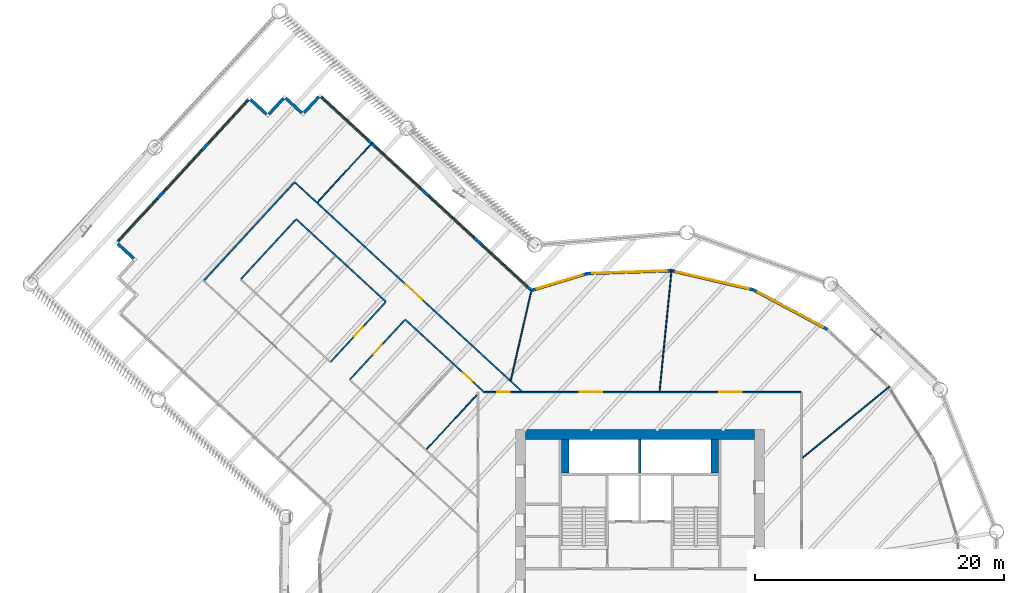
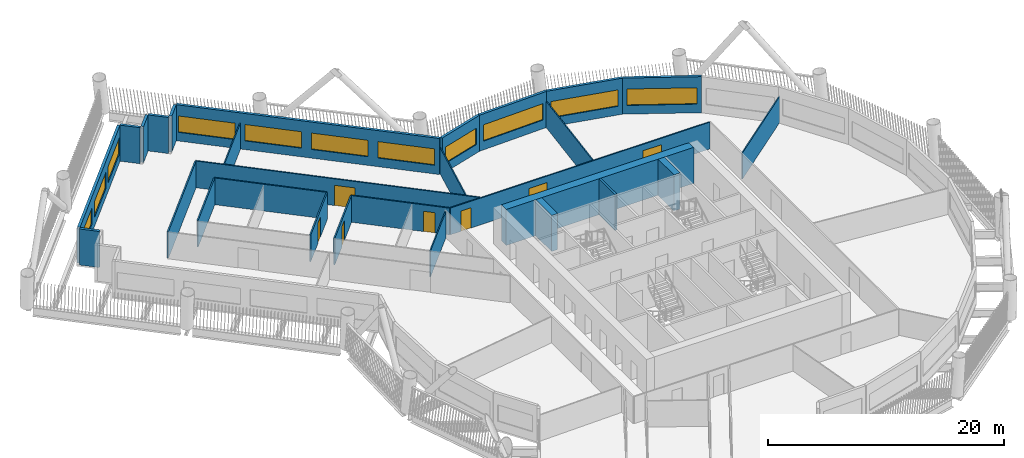
# One storey, part 7 of 24: 28 walls, 11 windows, 7 doors, 18 openings.
"""IFC4 building model written with IfcOpenShell, lengths in metres."""

from ifc_helpers import new_model, si_unit, direction, frame, frame_2d, origin, place, context, subcontext, project, spatial, rectangle, extrude, material, layer, layer_set, type_object, element, fill, save


model = new_model("IFC4")

# Units and contexts
model_context = context("Model", 3, precision=1e-05, world=origin(), true_north=direction((0.0, 1.0)))
body_context = subcontext(model_context, "Body", "Model", "MODEL_VIEW")
ifc_project = project(units=[si_unit("LENGTHUNIT", "METRE"), si_unit("AREAUNIT", "SQUARE_METRE"), si_unit("VOLUMEUNIT", "CUBIC_METRE"), si_unit("PLANEANGLEUNIT", "RADIAN"), si_unit("MASSUNIT", "GRAM", prefix="KILO")], contexts=[model_context])

# Site, building, storey
site_placement = place(None, origin())
site = spatial("IfcSite", under=ifc_project, at=site_placement, CompositionType="ELEMENT")
building_placement = place(site_placement, origin())
building = spatial("IfcBuilding", under=site, at=building_placement, Name="Tarsis Ring Headquarters", CompositionType="ELEMENT")
storey_placement = place(building_placement, frame((0.0, 0.0, 92.800048828125)))
storey = spatial("IfcBuildingStorey", under=building, at=storey_placement, Name="L20", CompositionType="ELEMENT", Elevation=92.800048828125)

# Walls
ifc_material_1 = material(Name="Concrete C60/75", Category="concrete")
ifc_layer_1 = layer(ifc_material_1, 0.800048828125)
ifc_layer_set_1 = layer_set([ifc_layer_1], Name="Core wall 800 C60/75")
wall_type_1 = type_object("IfcWallType", Name="Core wall 800 C60/75", PredefinedType="SHEAR", material=ifc_layer_set_1)
wall_1_placement = place(storey_placement, frame((-9.199951171875, 12.60009765625, 0.0), z_axis=(0.0, 0.0, 1.0), x_axis=(1.0, 0.0, 0.0)))
element("IfcWall", 1, at=wall_1_placement, inside=storey, type_object=wall_type_1, Name="Core wall ON", PredefinedType="SHEAR", context=body_context, shape_type="SweptSolid", body=[
    extrude(rectangle(XDim=18.39990234375, YDim=0.800048828125, at=frame_2d((9.199951171875, 0.0))), origin(), (0.0, 0.0, 1.0), 3.739990234375),
])
ifc_material_2 = material(Name="Gypsum board on steel studs", Category="steel")
ifc_layer_2 = layer(ifc_material_2, 0.10009765625)
ifc_layer_set_2 = layer_set([ifc_layer_2], Name="FL partition 100 unrated")
wall_type_2 = type_object("IfcWallType", Name="FL partition 100 unrated", PredefinedType="PARTITIONING", material=ifc_layer_set_2)
wall_2_placement = place(storey_placement, frame((1.5869140625, 16.069580078125, 0.0), z_axis=(0.0, 0.0, 1.0), x_axis=(0.098277776577, 0.99515902178, 0.0)))
element("IfcWall", 2, at=wall_2_placement, inside=storey, type_object=wall_type_2, Name="Partition PW3", PredefinedType="PARTITIONING", context=body_context, shape_type="SweptSolid", body=[
    extrude(rectangle(XDim=9.800048828125, YDim=0.10009765625, at=frame_2d((4.89990234375, 0.0))), origin(), (0.0, 0.0, 1.0), 2.699951171875),
])
wall_3_placement = place(storey_placement, frame((13.0849609375, 10.73291015625, 0.0), z_axis=(0.0, 0.0, 1.0), x_axis=(0.773185275083, 0.634180203409, 0.0)))
element("IfcWall", 3, at=wall_3_placement, inside=storey, type_object=wall_type_2, Name="Partition PW3", PredefinedType="PARTITIONING", context=body_context, shape_type="SweptSolid", body=[
    extrude(rectangle(XDim=9.024169921875, YDim=0.10009765625, at=frame_2d((4.51220703125, 0.0))), origin(), (0.0, 0.0, 1.0), 2.699951171875),
])
wall_4_placement = place(storey_placement, frame((-10.355224609375, 16.970458984375, 0.0), z_axis=(0.0, 0.0, 1.0), x_axis=(0.223079779579, 0.974800190779, 0.0)))
element("IfcWall", 4, at=wall_4_placement, inside=storey, type_object=wall_type_2, Name="Partition PW3", PredefinedType="PARTITIONING", context=body_context, shape_type="SweptSolid", body=[
    extrude(rectangle(XDim=7.435302734375, YDim=0.10009765625, at=frame_2d((3.7177734375, 0.0))), origin(), (0.0, 0.0, 1.0), 2.699951171875),
])
wall_5_placement = place(storey_placement, frame((-25.880859375, 31.25439453125, 0.0), z_axis=(0.0, 0.0, 1.0), x_axis=(0.677390591331, 0.73562353604, 0.0)))
element("IfcWall", 5, at=wall_5_placement, inside=storey, type_object=wall_type_2, Name="Partition PW3", PredefinedType="PARTITIONING", context=body_context, shape_type="SweptSolid", body=[
    extrude(rectangle(XDim=6.489990234375, YDim=0.10009765625, at=frame_2d((3.2451171875, 0.0))), origin(), (0.0, 0.0, 1.0), 2.699951171875),
])
wall_6_placement = place(storey_placement, frame((-17.129150390625, 11.395751953125, 0.0), z_axis=(0.0, 0.0, 1.0), x_axis=(0.677387825321, 0.73562608308, 0.0)))
element("IfcWall", 6, at=wall_6_placement, inside=storey, type_object=wall_type_2, Name="Partition PW3", PredefinedType="PARTITIONING", context=body_context, shape_type="SweptSolid", body=[
    extrude(rectangle(XDim=5.969482421875, YDim=0.10009765625, at=frame_2d((2.98486328125, 0.0))), origin(), (0.0, 0.0, 1.0), 2.699951171875),
])

# Wall, openings, doors
ifc_layer_3 = layer(ifc_material_2, 0.125)
ifc_layer_set_3 = layer_set([ifc_layer_3], Name="FL partition 125 EI 60 H2770")
wall_type_3 = type_object("IfcWallType", Name="FL partition 125 EI 60 H2770", PredefinedType="PARTITIONING", material=ifc_layer_set_3)
wall_7_placement = place(storey_placement, frame((-12.5185546875, 16.0, 0.0), z_axis=(0.0, 0.0, 1.0), x_axis=(1.0, 0.0, 0.0)))
wall_7 = element("IfcWall", 7, at=wall_7_placement, inside=storey, type_object=wall_type_3, Name="Partition PW1", PredefinedType="PARTITIONING", context=body_context, shape_type="SweptSolid", body=[
    extrude(rectangle(XDim=25.45849609375, YDim=0.125, at=frame_2d((12.729248046875, 0.0))), origin(), (0.0, 0.0, 1.0), 2.77001953125),
])
opening_1_placement = place(wall_7_placement, frame((7.699462890625, 0.0, 0.0)))
opening_1 = element("IfcOpeningElement", 8, at=opening_1_placement, cuts=wall_7, Name="Opening D20.03", PredefinedType="OPENING", context=body_context, shape_type="SweptSolid", body=[
    extrude(rectangle(XDim=1.800048828125, YDim=2.10009765625, at=frame_2d((0.89990234375, 1.050048828125))), frame((0.0, 0.072509765625, 0.0), z_axis=(0.0, -1.0, 0.0), x_axis=(1.0, 0.0, 0.0)), (0.0, 0.0, 1.0), 0.14501953125),
])
opening_2_placement = place(wall_7_placement, frame((18.90869140625, 0.0, 0.0)))
opening_2 = element("IfcOpeningElement", 9, at=opening_2_placement, cuts=wall_7, Name="Opening D20.04", PredefinedType="OPENING", context=body_context, shape_type="SweptSolid", body=[
    extrude(rectangle(XDim=1.800048828125, YDim=2.10009765625, at=frame_2d((0.89990234375, 1.050048828125))), frame((0.0, 0.072509765625, 0.0), z_axis=(0.0, -1.0, 0.0), x_axis=(1.0, 0.0, 0.0)), (0.0, 0.0, 1.0), 0.14501953125),
])
opening_3_placement = place(wall_7_placement, frame((1.050048828125, 0.0, 0.0)))
opening_3 = element("IfcOpeningElement", 10, at=opening_3_placement, cuts=wall_7, Name="Opening D20.22", PredefinedType="OPENING", context=body_context, shape_type="SweptSolid", body=[
    extrude(rectangle(XDim=1.0, YDim=2.10009765625, at=frame_2d((0.5, 1.050048828125))), frame((0.0, 0.072509765625, 0.0), z_axis=(0.0, -1.0, 0.0), x_axis=(1.0, 0.0, 0.0)), (0.0, 0.0, 1.0), 0.14501953125),
])
ifc_material_3 = material(Name="Fire-rated timber door leaf in steel frame", Category="steel")
door_type_1 = type_object("IfcDoorType", Name="FL door FD60-1000", OperationType="NOTDEFINED", PredefinedType="DOOR", material=ifc_material_3)
door_1_placement = place(opening_3_placement, origin())
door_1 = element("IfcDoor", 11, at=door_1_placement, inside=storey, type_object=door_type_1, Name="Door D20.22", OperationType="SINGLE_SWING_RIGHT", OverallHeight=2.10009765625, OverallWidth=1.0, PredefinedType="DOOR", context=body_context, shape_type="SweptSolid", body=[
    extrude(rectangle(XDim=1.0, YDim=2.10009765625, at=frame_2d((0.5, 1.050048828125))), frame((0.0, 0.02490234375, 0.0), z_axis=(0.0, -1.0, 0.0), x_axis=(1.0, 0.0, 0.0)), (0.0, 0.0, 1.0), 0.050048828125),
])
fill(opening_3, door_1)
door_type_2 = type_object("IfcDoorType", Name="FL door FD60-1800", OperationType="DOUBLE_DOOR_SINGLE_SWING", PredefinedType="DOOR", material=ifc_material_3)
door_2_placement = place(opening_1_placement, origin())
door_2 = element("IfcDoor", 12, at=door_2_placement, inside=storey, type_object=door_type_2, Name="Door D20.03", OperationType="DOUBLE_DOOR_SINGLE_SWING", OverallHeight=2.10009765625, OverallWidth=1.800048828125, PredefinedType="DOOR", context=body_context, shape_type="SweptSolid", body=[
    extrude(rectangle(XDim=1.800048828125, YDim=2.10009765625, at=frame_2d((0.89990234375, 1.050048828125))), frame((0.0, 0.02490234375, 0.0), z_axis=(0.0, -1.0, 0.0), x_axis=(1.0, 0.0, 0.0)), (0.0, 0.0, 1.0), 0.050048828125),
])
fill(opening_1, door_2)
door_3_placement = place(opening_2_placement, origin())
door_3 = element("IfcDoor", 13, at=door_3_placement, inside=storey, type_object=door_type_2, Name="Door D20.04", OperationType="DOUBLE_DOOR_SINGLE_SWING", OverallHeight=2.10009765625, OverallWidth=1.800048828125, PredefinedType="DOOR", context=body_context, shape_type="SweptSolid", body=[
    extrude(rectangle(XDim=1.800048828125, YDim=2.10009765625, at=frame_2d((0.89990234375, 1.050048828125))), frame((0.0, 0.02490234375, 0.0), z_axis=(0.0, -1.0, 0.0), x_axis=(1.0, 0.0, 0.0)), (0.0, 0.0, 1.0), 0.050048828125),
])
fill(opening_2, door_3)

# Wall, opening, door
wall_8_placement = place(storey_placement, frame((-27.72314453125, 32.855712890625, 0.0), z_axis=(0.0, 0.0, 1.0), x_axis=(0.73561962954, -0.677394833635, 0.0)))
wall_8 = element("IfcWall", 14, at=wall_8_placement, inside=storey, type_object=wall_type_3, Name="Partition PW1", PredefinedType="PARTITIONING", context=body_context, shape_type="SweptSolid", body=[
    extrude(rectangle(XDim=24.743408203125, YDim=0.125, at=frame_2d((12.37158203125, 0.0))), origin(), (0.0, 0.0, 1.0), 2.77001953125),
])
opening_4_placement = place(wall_8_placement, frame((12.1083984375, 0.0, 0.0)))
opening_4 = element("IfcOpeningElement", 15, at=opening_4_placement, cuts=wall_8, Name="Opening D20.02", PredefinedType="OPENING", context=body_context, shape_type="SweptSolid", body=[
    extrude(rectangle(XDim=1.800048828125, YDim=2.10009765625, at=frame_2d((0.89990234375, 1.050048828125))), frame((0.0, 0.072509765625, 0.0), z_axis=(0.0, -1.0, 0.0), x_axis=(1.0, 0.0, 0.0)), (0.0, 0.0, 1.0), 0.14501953125),
])
door_4_placement = place(opening_4_placement, origin())
door_4 = element("IfcDoor", 16, at=door_4_placement, inside=storey, type_object=door_type_2, Name="Door D20.02", OperationType="DOUBLE_DOOR_SINGLE_SWING", OverallHeight=2.10009765625, OverallWidth=1.800048828125, PredefinedType="DOOR", context=body_context, shape_type="SweptSolid", body=[
    extrude(rectangle(XDim=1.800048828125, YDim=2.10009765625, at=frame_2d((0.89990234375, 1.050048828125))), frame((0.0, 0.02490234375, 0.0), z_axis=(0.0, -1.0, 0.0), x_axis=(1.0, 0.0, 0.0)), (0.0, 0.0, 1.0), 0.050048828125),
])
fill(opening_4, door_4)

# Walls
wall_9_placement = place(storey_placement, frame((-34.98486328125, 24.9697265625, 0.0), z_axis=(0.0, 0.0, 1.0), x_axis=(0.67738640523, 0.735627390742, 0.0)))
element("IfcWall", 17, at=wall_9_placement, inside=storey, type_object=wall_type_3, Name="Partition PW1", PredefinedType="PARTITIONING", context=body_context, shape_type="SweptSolid", body=[
    extrude(rectangle(XDim=10.659912109375, YDim=0.125, at=frame_2d((5.330078125, 0.0))), origin(), (0.0, 0.0, 1.0), 2.77001953125),
])
wall_10_placement = place(storey_placement, frame((-27.60107421875, 29.888427734375, 0.0), z_axis=(0.0, 0.0, 1.0), x_axis=(0.735629057636, -0.677384595014, 0.0)))
element("IfcWall", 18, at=wall_10_placement, inside=storey, type_object=wall_type_3, Name="Partition PW1", PredefinedType="PARTITIONING", context=body_context, shape_type="SweptSolid", body=[
    extrude(rectangle(XDim=9.800048828125, YDim=0.125, at=frame_2d((4.89990234375, 0.0))), origin(), (0.0, 0.0, 1.0), 2.77001953125),
])

# Wall, opening, door
wall_11_placement = place(storey_placement, frame((-18.846923828125, 21.827392578125, 0.0), z_axis=(0.0, 0.0, 1.0), x_axis=(0.735613071241, -0.677401955577, 0.0)))
wall_11 = element("IfcWall", 19, at=wall_11_placement, inside=storey, type_object=wall_type_3, Name="Partition PW1", PredefinedType="PARTITIONING", context=body_context, shape_type="SweptSolid", body=[
    extrude(rectangle(XDim=8.57275390625, YDim=0.125, at=frame_2d((4.286376953125, 0.0))), origin(), (0.0, 0.0, 1.0), 2.77001953125),
])
opening_5_placement = place(wall_11_placement, frame((6.324951171875, 0.0, 0.0)))
opening_5 = element("IfcOpeningElement", 20, at=opening_5_placement, cuts=wall_11, Name="Opening D20.14", PredefinedType="OPENING", context=body_context, shape_type="SweptSolid", body=[
    extrude(rectangle(XDim=1.0, YDim=2.10009765625, at=frame_2d((0.5, 1.050048828125))), frame((0.0, 0.072509765625, 0.0), z_axis=(0.0, -1.0, 0.0), x_axis=(1.0, 0.0, 0.0)), (0.0, 0.0, 1.0), 0.14501953125),
])
door_5_placement = place(opening_5_placement, origin())
door_5 = element("IfcDoor", 21, at=door_5_placement, inside=storey, type_object=door_type_1, Name="Door D20.14", OperationType="SINGLE_SWING_RIGHT", OverallHeight=2.10009765625, OverallWidth=1.0, PredefinedType="DOOR", context=body_context, shape_type="SweptSolid", body=[
    extrude(rectangle(XDim=1.0, YDim=2.10009765625, at=frame_2d((0.5, 1.050048828125))), frame((0.0, 0.02490234375, 0.0), z_axis=(0.0, -1.0, 0.0), x_axis=(1.0, 0.0, 0.0)), (0.0, 0.0, 1.0), 0.050048828125),
])
fill(opening_5, door_5)

wall_12_placement = place(storey_placement, frame((-24.808349609375, 18.45361328125, 0.0), z_axis=(0.0, 0.0, 1.0), x_axis=(0.677367592879, 0.735644713239, 0.0)))
wall_12 = element("IfcWall", 22, at=wall_12_placement, inside=storey, type_object=wall_type_3, Name="Partition PW1", PredefinedType="PARTITIONING", context=body_context, shape_type="SweptSolid", body=[
    extrude(rectangle(XDim=6.4599609375, YDim=0.125, at=frame_2d((3.22998046875, 0.0))), origin(), (0.0, 0.0, 1.0), 2.77001953125),
])
opening_6_placement = place(wall_12_placement, frame((2.72998046875, 0.0, 0.0)))
opening_6 = element("IfcOpeningElement", 23, at=opening_6_placement, cuts=wall_12, Name="Opening D20.19", PredefinedType="OPENING", context=body_context, shape_type="SweptSolid", body=[
    extrude(rectangle(XDim=1.0, YDim=2.10009765625, at=frame_2d((0.5, 1.050048828125))), frame((0.0, 0.072509765625, 0.0), z_axis=(0.0, -1.0, 0.0), x_axis=(1.0, 0.0, 0.0)), (0.0, 0.0, 1.0), 0.14501953125),
])
door_6_placement = place(opening_6_placement, origin())
door_6 = element("IfcDoor", 24, at=door_6_placement, inside=storey, type_object=door_type_1, Name="Door D20.19", OperationType="SINGLE_SWING_LEFT", OverallHeight=2.10009765625, OverallWidth=1.0, PredefinedType="DOOR", context=body_context, shape_type="SweptSolid", body=[
    extrude(rectangle(XDim=1.0, YDim=2.10009765625, at=frame_2d((0.5, 1.050048828125))), frame((0.0, 0.02490234375, 0.0), z_axis=(0.0, -1.0, 0.0), x_axis=(1.0, 0.0, 0.0)), (0.0, 0.0, 1.0), 0.050048828125),
])
fill(opening_6, door_6)

wall_13_placement = place(storey_placement, frame((-23.263671875, 17.031005859375, 0.0), z_axis=(0.0, 0.0, 1.0), x_axis=(0.677388044761, 0.735625881012, 0.0)))
wall_13 = element("IfcWall", 25, at=wall_13_placement, inside=storey, type_object=wall_type_3, Name="Partition PW1", PredefinedType="PARTITIONING", context=body_context, shape_type="SweptSolid", body=[
    extrude(rectangle(XDim=6.4599609375, YDim=0.125, at=frame_2d((3.22998046875, 0.0))), origin(), (0.0, 0.0, 1.0), 2.77001953125),
])
opening_7_placement = place(wall_13_placement, frame((2.72998046875, 0.0, 0.0)))
opening_7 = element("IfcOpeningElement", 26, at=opening_7_placement, cuts=wall_13, Name="Opening D20.15", PredefinedType="OPENING", context=body_context, shape_type="SweptSolid", body=[
    extrude(rectangle(XDim=1.0, YDim=2.10009765625, at=frame_2d((0.5, 1.050048828125))), frame((0.0, 0.072509765625, 0.0), z_axis=(0.0, -1.0, 0.0), x_axis=(1.0, 0.0, 0.0)), (0.0, 0.0, 1.0), 0.14501953125),
])
door_7_placement = place(opening_7_placement, origin())
door_7 = element("IfcDoor", 27, at=door_7_placement, inside=storey, type_object=door_type_1, Name="Door D20.15", OperationType="SINGLE_SWING_LEFT", OverallHeight=2.10009765625, OverallWidth=1.0, PredefinedType="DOOR", context=body_context, shape_type="SweptSolid", body=[
    extrude(rectangle(XDim=1.0, YDim=2.10009765625, at=frame_2d((0.5, 1.050048828125))), frame((0.0, 0.02490234375, 0.0), z_axis=(0.0, -1.0, 0.0), x_axis=(1.0, 0.0, 0.0)), (0.0, 0.0, 1.0), 0.050048828125),
])
fill(opening_7, door_7)

# Wall
wall_14_placement = place(storey_placement, frame((-32.017578125, 25.092041015625, 0.0), z_axis=(0.0, 0.0, 1.0), x_axis=(0.677388044761, 0.735625881012, 0.0)))
element("IfcWall", 28, at=wall_14_placement, inside=storey, type_object=wall_type_3, Name="Partition PW1", PredefinedType="PARTITIONING", context=body_context, shape_type="SweptSolid", body=[
    extrude(rectangle(XDim=6.4599609375, YDim=0.125, at=frame_2d((3.22998046875, 0.0))), origin(), (0.0, 0.0, 1.0), 2.77001953125),
])

# Wall, opening, window
ifc_material_4 = material(Name="Terracotta clad insulated panel wall", Category="masonry")
ifc_layer_4 = layer(ifc_material_4, 0.25)
ifc_layer_set_4 = layer_set([ifc_layer_4], Name="Facade wall terracotta panel 250")
wall_type_4 = type_object("IfcWallType", Name="Facade wall terracotta panel 250", PredefinedType="STANDARD", material=ifc_layer_set_4)
wall_15_placement = place(storey_placement, frame((15.06201171875, 21.035400390625, 0.0), z_axis=(0.0, 0.0, 1.0), x_axis=(-0.881805368526, 0.471613498576, 0.0)))
wall_15 = element("IfcWall", 29, at=wall_15_placement, inside=storey, type_object=wall_type_4, Name="External wall L20-27", PredefinedType="STANDARD", context=body_context, shape_type="SweptSolid", body=[
    extrude(rectangle(XDim=6.721435546875, YDim=0.25, at=frame_2d((3.36083984375, 0.0))), origin(), (0.0, 0.0, 1.0), 3.739990234375),
])
opening_8_placement = place(wall_15_placement, frame((0.3857421875, 0.0, 0.89990234375)))
opening_8 = element("IfcOpeningElement", 30, at=opening_8_placement, cuts=wall_15, Name="Opening WN07", PredefinedType="OPENING", context=body_context, shape_type="SweptSolid", body=[
    extrude(rectangle(XDim=5.949951171875, YDim=1.699951171875, at=frame_2d((2.97509765625, 0.85009765625))), frame((0.0, 0.135009765625, 0.0), z_axis=(0.0, -1.0, 0.0), x_axis=(1.0, 0.0, 0.0)), (0.0, 0.0, 1.0), 0.27001953125),
])
ifc_material_5 = material(Name="Aluminium framed double glazing", Category="aluminium")
window_type_1 = type_object("IfcWindowType", Name="Facade window 5950 x 1700", PartitioningType="SINGLE_PANEL", PredefinedType="WINDOW", material=ifc_material_5)
window_1_placement = place(opening_8_placement, origin())
window_1 = element("IfcWindow", 31, at=window_1_placement, inside=storey, type_object=window_type_1, Name="Window L20-27.1", OverallHeight=1.699951171875, OverallWidth=5.949951171875, PartitioningType="SINGLE_PANEL", PredefinedType="WINDOW", context=body_context, shape_type="SweptSolid", body=[
    extrude(rectangle(XDim=5.949951171875, YDim=1.699951171875, at=frame_2d((2.97509765625, 0.85009765625))), frame((0.0, 0.030029296875, 0.0), z_axis=(0.0, -1.0, 0.0), x_axis=(1.0, 0.0, 0.0)), (0.0, 0.0, 1.0), 0.06005859375),
])
fill(opening_8, window_1)

wall_16_placement = place(storey_placement, frame((9.1044921875, 24.216796875, 0.0), z_axis=(0.0, 0.0, 1.0), x_axis=(-0.97381628786, 0.227336397214, 0.0)))
wall_16 = element("IfcWall", 32, at=wall_16_placement, inside=storey, type_object=wall_type_4, Name="External wall L20-28", PredefinedType="STANDARD", context=body_context, shape_type="SweptSolid", body=[
    extrude(rectangle(XDim=6.7216796875, YDim=0.25, at=frame_2d((3.36083984375, 0.0))), origin(), (0.0, 0.0, 1.0), 3.739990234375),
])
opening_9_placement = place(wall_16_placement, frame((0.3857421875, 0.0, 0.89990234375)))
opening_9 = element("IfcOpeningElement", 33, at=opening_9_placement, cuts=wall_16, Name="Opening WN07", PredefinedType="OPENING", context=body_context, shape_type="SweptSolid", body=[
    extrude(rectangle(XDim=5.949951171875, YDim=1.699951171875, at=frame_2d((2.97509765625, 0.85009765625))), frame((0.0, 0.135009765625, 0.0), z_axis=(0.0, -1.0, 0.0), x_axis=(1.0, 0.0, 0.0)), (0.0, 0.0, 1.0), 0.27001953125),
])
window_2_placement = place(opening_9_placement, origin())
window_2 = element("IfcWindow", 34, at=window_2_placement, inside=storey, type_object=window_type_1, Name="Window L20-28.1", OverallHeight=1.699951171875, OverallWidth=5.949951171875, PartitioningType="SINGLE_PANEL", PredefinedType="WINDOW", context=body_context, shape_type="SweptSolid", body=[
    extrude(rectangle(XDim=5.949951171875, YDim=1.699951171875, at=frame_2d((2.97509765625, 0.85009765625))), frame((0.0, 0.030029296875, 0.0), z_axis=(0.0, -1.0, 0.0), x_axis=(1.0, 0.0, 0.0)), (0.0, 0.0, 1.0), 0.06005859375),
])
fill(opening_9, window_2)

wall_17_placement = place(storey_placement, frame((2.5263671875, 25.748046875, 0.0), z_axis=(0.0, 0.0, 1.0), x_axis=(-0.999473827824, -0.032435589935, 0.0)))
wall_17 = element("IfcWall", 35, at=wall_17_placement, inside=storey, type_object=wall_type_4, Name="External wall L20-29", PredefinedType="STANDARD", context=body_context, shape_type="SweptSolid", body=[
    extrude(rectangle(XDim=6.721435546875, YDim=0.25, at=frame_2d((3.36083984375, 0.0))), origin(), (0.0, 0.0, 1.0), 3.739990234375),
])
opening_10_placement = place(wall_17_placement, frame((0.3857421875, 0.0, 0.89990234375)))
opening_10 = element("IfcOpeningElement", 36, at=opening_10_placement, cuts=wall_17, Name="Opening WN07", PredefinedType="OPENING", context=body_context, shape_type="SweptSolid", body=[
    extrude(rectangle(XDim=5.949951171875, YDim=1.699951171875, at=frame_2d((2.97509765625, 0.85009765625))), frame((0.0, 0.135009765625, 0.0), z_axis=(0.0, -1.0, 0.0), x_axis=(1.0, 0.0, 0.0)), (0.0, 0.0, 1.0), 0.27001953125),
])
window_3_placement = place(opening_10_placement, origin())
window_3 = element("IfcWindow", 37, at=window_3_placement, inside=storey, type_object=window_type_1, Name="Window L20-29.1", OverallHeight=1.699951171875, OverallWidth=5.949951171875, PartitioningType="SINGLE_PANEL", PredefinedType="WINDOW", context=body_context, shape_type="SweptSolid", body=[
    extrude(rectangle(XDim=5.949951171875, YDim=1.699951171875, at=frame_2d((2.97509765625, 0.85009765625))), frame((0.0, 0.030029296875, 0.0), z_axis=(0.0, -1.0, 0.0), x_axis=(1.0, 0.0, 0.0)), (0.0, 0.0, 1.0), 0.06005859375),
])
fill(opening_10, window_3)

wall_18_placement = place(storey_placement, frame((-4.223876953125, 25.524658203125, 0.0), z_axis=(0.0, 0.0, 1.0), x_axis=(-0.957011952932, -0.290048482061, 0.0)))
wall_18 = element("IfcWall", 38, at=wall_18_placement, inside=storey, type_object=wall_type_4, Name="External wall L20-30", PredefinedType="STANDARD", context=body_context, shape_type="SweptSolid", body=[
    extrude(rectangle(XDim=4.61767578125, YDim=0.25, at=frame_2d((2.308837890625, 0.0))), origin(), (0.0, 0.0, 1.0), 3.739990234375),
])
opening_11_placement = place(wall_18_placement, frame((0.367431640625, 0.0, 0.89990234375)))
opening_11 = element("IfcOpeningElement", 39, at=opening_11_placement, cuts=wall_18, Name="Opening WN02", PredefinedType="OPENING", context=body_context, shape_type="SweptSolid", body=[
    extrude(rectangle(XDim=3.85009765625, YDim=1.699951171875, at=frame_2d((1.925048828125, 0.85009765625))), frame((0.0, 0.135009765625, 0.0), z_axis=(0.0, -1.0, 0.0), x_axis=(1.0, 0.0, 0.0)), (0.0, 0.0, 1.0), 0.27001953125),
])
window_type_2 = type_object("IfcWindowType", Name="Facade window 3850 x 1700", PartitioningType="SINGLE_PANEL", PredefinedType="WINDOW", material=ifc_material_5)
window_4_placement = place(opening_11_placement, origin())
window_4 = element("IfcWindow", 40, at=window_4_placement, inside=storey, type_object=window_type_2, Name="Window L20-30.1", OverallHeight=1.699951171875, OverallWidth=3.85009765625, PartitioningType="SINGLE_PANEL", PredefinedType="WINDOW", context=body_context, shape_type="SweptSolid", body=[
    extrude(rectangle(XDim=3.85009765625, YDim=1.699951171875, at=frame_2d((1.925048828125, 0.85009765625))), frame((0.0, 0.030029296875, 0.0), z_axis=(0.0, -1.0, 0.0), x_axis=(1.0, 0.0, 0.0)), (0.0, 0.0, 1.0), 0.06005859375),
])
fill(opening_11, window_4)

# Wall, openings, windows
wall_19_placement = place(storey_placement, frame((-8.76416015625, 24.213134765625, 0.0), z_axis=(0.0, 0.0, 1.0), x_axis=(-0.735626462588, 0.677387413184, 0.0)))
wall_19 = element("IfcWall", 41, at=wall_19_placement, inside=storey, type_object=wall_type_4, Name="External wall L20-31", PredefinedType="STANDARD", context=body_context, shape_type="SweptSolid", body=[
    extrude(rectangle(XDim=22.901123046875, YDim=0.25, at=frame_2d((11.45068359375, 0.0))), origin(), (0.0, 0.0, 1.0), 3.739990234375),
])
opening_12_placement = place(wall_19_placement, frame((0.4189453125, 0.0, 0.89990234375)))
opening_12 = element("IfcOpeningElement", 42, at=opening_12_placement, cuts=wall_19, Name="Opening WN05", PredefinedType="OPENING", context=body_context, shape_type="SweptSolid", body=[
    extrude(rectangle(XDim=4.949951171875, YDim=1.699951171875, at=frame_2d((2.47509765625, 0.85009765625))), frame((0.0, 0.135009765625, 0.0), z_axis=(0.0, -1.0, 0.0), x_axis=(1.0, 0.0, 0.0)), (0.0, 0.0, 1.0), 0.27001953125),
])
opening_13_placement = place(wall_19_placement, frame((6.206787109375, 0.0, 0.89990234375)))
opening_13 = element("IfcOpeningElement", 43, at=opening_13_placement, cuts=wall_19, Name="Opening WN05", PredefinedType="OPENING", context=body_context, shape_type="SweptSolid", body=[
    extrude(rectangle(XDim=4.949951171875, YDim=1.699951171875, at=frame_2d((2.47509765625, 0.85009765625))), frame((0.0, 0.135009765625, 0.0), z_axis=(0.0, -1.0, 0.0), x_axis=(1.0, 0.0, 0.0)), (0.0, 0.0, 1.0), 0.27001953125),
])
opening_14_placement = place(wall_19_placement, frame((11.99462890625, 0.0, 0.89990234375)))
opening_14 = element("IfcOpeningElement", 44, at=opening_14_placement, cuts=wall_19, Name="Opening WN05", PredefinedType="OPENING", context=body_context, shape_type="SweptSolid", body=[
    extrude(rectangle(XDim=4.949951171875, YDim=1.699951171875, at=frame_2d((2.47509765625, 0.85009765625))), frame((0.0, 0.135009765625, 0.0), z_axis=(0.0, -1.0, 0.0), x_axis=(1.0, 0.0, 0.0)), (0.0, 0.0, 1.0), 0.27001953125),
])
opening_15_placement = place(wall_19_placement, frame((17.782470703125, 0.0, 0.89990234375)))
opening_15 = element("IfcOpeningElement", 45, at=opening_15_placement, cuts=wall_19, Name="Opening WN05", PredefinedType="OPENING", context=body_context, shape_type="SweptSolid", body=[
    extrude(rectangle(XDim=4.949951171875, YDim=1.699951171875, at=frame_2d((2.47509765625, 0.85009765625))), frame((0.0, 0.135009765625, 0.0), z_axis=(0.0, -1.0, 0.0), x_axis=(1.0, 0.0, 0.0)), (0.0, 0.0, 1.0), 0.27001953125),
])
window_type_3 = type_object("IfcWindowType", Name="Facade window 4950 x 1700", PartitioningType="SINGLE_PANEL", PredefinedType="WINDOW", material=ifc_material_5)
window_5_placement = place(opening_12_placement, origin())
window_5 = element("IfcWindow", 46, at=window_5_placement, inside=storey, type_object=window_type_3, Name="Window L20-31.1", OverallHeight=1.699951171875, OverallWidth=4.949951171875, PartitioningType="SINGLE_PANEL", PredefinedType="WINDOW", context=body_context, shape_type="SweptSolid", body=[
    extrude(rectangle(XDim=4.949951171875, YDim=1.699951171875, at=frame_2d((2.47509765625, 0.85009765625))), frame((0.0, 0.030029296875, 0.0), z_axis=(0.0, -1.0, 0.0), x_axis=(1.0, 0.0, 0.0)), (0.0, 0.0, 1.0), 0.06005859375),
])
fill(opening_12, window_5)
window_6_placement = place(opening_13_placement, origin())
window_6 = element("IfcWindow", 47, at=window_6_placement, inside=storey, type_object=window_type_3, Name="Window L20-31.2", OverallHeight=1.699951171875, OverallWidth=4.949951171875, PartitioningType="SINGLE_PANEL", PredefinedType="WINDOW", context=body_context, shape_type="SweptSolid", body=[
    extrude(rectangle(XDim=4.949951171875, YDim=1.699951171875, at=frame_2d((2.47509765625, 0.85009765625))), frame((0.0, 0.030029296875, 0.0), z_axis=(0.0, -1.0, 0.0), x_axis=(1.0, 0.0, 0.0)), (0.0, 0.0, 1.0), 0.06005859375),
])
fill(opening_13, window_6)
window_7_placement = place(opening_14_placement, origin())
window_7 = element("IfcWindow", 48, at=window_7_placement, inside=storey, type_object=window_type_3, Name="Window L20-31.3", OverallHeight=1.699951171875, OverallWidth=4.949951171875, PartitioningType="SINGLE_PANEL", PredefinedType="WINDOW", context=body_context, shape_type="SweptSolid", body=[
    extrude(rectangle(XDim=4.949951171875, YDim=1.699951171875, at=frame_2d((2.47509765625, 0.85009765625))), frame((0.0, 0.030029296875, 0.0), z_axis=(0.0, -1.0, 0.0), x_axis=(1.0, 0.0, 0.0)), (0.0, 0.0, 1.0), 0.06005859375),
])
fill(opening_14, window_7)
window_8_placement = place(opening_15_placement, origin())
window_8 = element("IfcWindow", 49, at=window_8_placement, inside=storey, type_object=window_type_3, Name="Window L20-31.4", OverallHeight=1.699951171875, OverallWidth=4.949951171875, PartitioningType="SINGLE_PANEL", PredefinedType="WINDOW", context=body_context, shape_type="SweptSolid", body=[
    extrude(rectangle(XDim=4.949951171875, YDim=1.699951171875, at=frame_2d((2.47509765625, 0.85009765625))), frame((0.0, 0.030029296875, 0.0), z_axis=(0.0, -1.0, 0.0), x_axis=(1.0, 0.0, 0.0)), (0.0, 0.0, 1.0), 0.06005859375),
])
fill(opening_15, window_8)

# Walls
for number, where, z_axis, x_axis, name in (
    (50, (-25.787353515625, 39.71875, 0.0), (0.0, 0.0, 1.0), (-0.677422126447, -0.735594496037, 0.0), "External wall L20-32"),
    (51, (-27.1494140625, 38.42431640625, 0.0), (0.0, 0.0, 1.0), (-0.735664013736, 0.677346631271, 0.0), "External wall L20-33"),
    (52, (-28.613525390625, 39.602294921875, 0.0), (0.0, 0.0, 1.0), (-0.677346631271, -0.735664013736, 0.0), "External wall L20-34"),
    (53, (-29.9755859375, 38.307861328125, 0.0), (0.0, 0.0, 1.0), (-0.735664013736, 0.677346631271, 0.0), "External wall L20-35"),
):
    element("IfcWall", number, at=place(storey_placement, frame(where, z_axis=z_axis, x_axis=x_axis)), inside=storey, type_object=wall_type_4, Name=name, PredefinedType="STANDARD", context=body_context, shape_type="SweptSolid", body=[
        extrude(rectangle(XDim=1.75, YDim=0.25, at=frame_2d((0.875, 0.0))), origin(), (0.0, 0.0, 1.0), 3.739990234375),
    ])

# Wall, openings, windows
wall_20_placement = place(storey_placement, frame((-31.439453125, 39.48583984375, 0.0), z_axis=(0.0, 0.0, 1.0), x_axis=(-0.677391205481, -0.735622970506, 0.0)))
wall_20 = element("IfcWall", 54, at=wall_20_placement, inside=storey, type_object=wall_type_4, Name="External wall L20-36", PredefinedType="STANDARD", context=body_context, shape_type="SweptSolid", body=[
    extrude(rectangle(XDim=15.5, YDim=0.25, at=frame_2d((7.75, 0.0))), origin(), (0.0, 0.0, 1.0), 3.739990234375),
])
opening_16_placement = place(wall_20_placement, frame((0.166748046875, 0.0, 0.89990234375)))
opening_16 = element("IfcOpeningElement", 55, at=opening_16_placement, cuts=wall_20, Name="Opening WN04", PredefinedType="OPENING", context=body_context, shape_type="SweptSolid", body=[
    extrude(rectangle(XDim=4.5, YDim=1.699951171875, at=frame_2d((2.25, 0.85009765625))), frame((0.0, 0.135009765625, 0.0), z_axis=(0.0, -1.0, 0.0), x_axis=(1.0, 0.0, 0.0)), (0.0, 0.0, 1.0), 0.27001953125),
])
opening_17_placement = place(wall_20_placement, frame((5.5, 0.0, 0.89990234375)))
opening_17 = element("IfcOpeningElement", 56, at=opening_17_placement, cuts=wall_20, Name="Opening WN04", PredefinedType="OPENING", context=body_context, shape_type="SweptSolid", body=[
    extrude(rectangle(XDim=4.5, YDim=1.699951171875, at=frame_2d((2.25, 0.85009765625))), frame((0.0, 0.135009765625, 0.0), z_axis=(0.0, -1.0, 0.0), x_axis=(1.0, 0.0, 0.0)), (0.0, 0.0, 1.0), 0.27001953125),
])
opening_18_placement = place(wall_20_placement, frame((10.833251953125, 0.0, 0.89990234375)))
opening_18 = element("IfcOpeningElement", 57, at=opening_18_placement, cuts=wall_20, Name="Opening WN04", PredefinedType="OPENING", context=body_context, shape_type="SweptSolid", body=[
    extrude(rectangle(XDim=4.5, YDim=1.699951171875, at=frame_2d((2.25, 0.85009765625))), frame((0.0, 0.135009765625, 0.0), z_axis=(0.0, -1.0, 0.0), x_axis=(1.0, 0.0, 0.0)), (0.0, 0.0, 1.0), 0.27001953125),
])
window_type_4 = type_object("IfcWindowType", Name="Facade window 4500 x 1700", PartitioningType="SINGLE_PANEL", PredefinedType="WINDOW", material=ifc_material_5)
window_9_placement = place(opening_16_placement, origin())
window_9 = element("IfcWindow", 58, at=window_9_placement, inside=storey, type_object=window_type_4, Name="Window L20-36.1", OverallHeight=1.699951171875, OverallWidth=4.5, PartitioningType="SINGLE_PANEL", PredefinedType="WINDOW", context=body_context, shape_type="SweptSolid", body=[
    extrude(rectangle(XDim=4.5, YDim=1.699951171875, at=frame_2d((2.25, 0.85009765625))), frame((0.0, 0.030029296875, 0.0), z_axis=(0.0, -1.0, 0.0), x_axis=(1.0, 0.0, 0.0)), (0.0, 0.0, 1.0), 0.06005859375),
])
fill(opening_16, window_9)
window_10_placement = place(opening_17_placement, origin())
window_10 = element("IfcWindow", 59, at=window_10_placement, inside=storey, type_object=window_type_4, Name="Window L20-36.2", OverallHeight=1.699951171875, OverallWidth=4.5, PartitioningType="SINGLE_PANEL", PredefinedType="WINDOW", context=body_context, shape_type="SweptSolid", body=[
    extrude(rectangle(XDim=4.5, YDim=1.699951171875, at=frame_2d((2.25, 0.85009765625))), frame((0.0, 0.030029296875, 0.0), z_axis=(0.0, -1.0, 0.0), x_axis=(1.0, 0.0, 0.0)), (0.0, 0.0, 1.0), 0.06005859375),
])
fill(opening_17, window_10)
window_11_placement = place(opening_18_placement, origin())
window_11 = element("IfcWindow", 60, at=window_11_placement, inside=storey, type_object=window_type_4, Name="Window L20-36.3", OverallHeight=1.699951171875, OverallWidth=4.5, PartitioningType="SINGLE_PANEL", PredefinedType="WINDOW", context=body_context, shape_type="SweptSolid", body=[
    extrude(rectangle(XDim=4.5, YDim=1.699951171875, at=frame_2d((2.25, 0.85009765625))), frame((0.0, 0.030029296875, 0.0), z_axis=(0.0, -1.0, 0.0), x_axis=(1.0, 0.0, 0.0)), (0.0, 0.0, 1.0), 0.06005859375),
])
fill(opening_18, window_11)

# Walls
wall_21_placement = place(storey_placement, frame((-41.931640625, 27.906982421875, 0.0), z_axis=(0.0, 0.0, 1.0), x_axis=(0.73559999449, -0.677416155776, 0.0)))
element("IfcWall", 61, at=wall_21_placement, inside=storey, type_object=wall_type_4, Name="External wall L20-37", PredefinedType="STANDARD", context=body_context, shape_type="SweptSolid", body=[
    extrude(rectangle(XDim=1.749755859375, YDim=0.25, at=frame_2d((0.875, 0.0))), origin(), (0.0, 0.0, 1.0), 3.739990234375),
])
ifc_material_6 = material(Name="Concrete C32/40", Category="concrete")
ifc_layer_5 = layer(ifc_material_6, 0.60009765625)
ifc_layer_set_5 = layer_set([ifc_layer_5], Name="Shaft end wall 600 C32/40")
wall_type_5 = type_object("IfcWallType", Name="Shaft end wall 600 C32/40", PredefinedType="SOLIDWALL", material=ifc_layer_set_5)
for number, where, z_axis, x_axis, name in (
    (62, (-6.0, 9.5, 0.0), (0.0, 0.0, 1.0), (0.0, 1.0, 0.0), "Core shaft wall NNE1"),
    (63, (6.0, 9.5, 0.0), (0.0, 0.0, 1.0), (0.0, 1.0, 0.0), "Core shaft wall NNE2"),
):
    element("IfcWall", number, at=place(storey_placement, frame(where, z_axis=z_axis, x_axis=x_axis)), inside=storey, type_object=wall_type_5, Name=name, PredefinedType="SOLIDWALL", context=body_context, shape_type="SweptSolid", body=[
        extrude(rectangle(XDim=2.699951171875, YDim=0.60009765625, at=frame_2d((1.35009765625, 0.0))), origin(), (0.0, 0.0, 1.0), 3.739990234375),
    ])
ifc_layer_6 = layer(ifc_material_6, 0.199951171875)
ifc_layer_set_6 = layer_set([ifc_layer_6], Name="Shaft wall 200 C32/40")
wall_type_6 = type_object("IfcWallType", Name="Shaft wall 200 C32/40", PredefinedType="SOLIDWALL", material=ifc_layer_set_6)
wall_22_placement = place(storey_placement, frame((0.0, 9.5, 0.0), z_axis=(0.0, 0.0, 1.0), x_axis=(0.0, 1.0, 0.0)))
element("IfcWall", 64, at=wall_22_placement, inside=storey, type_object=wall_type_6, Name="Core shaft wall ND2", PredefinedType="SOLIDWALL", context=body_context, shape_type="SweptSolid", body=[
    extrude(rectangle(XDim=2.699951171875, YDim=0.199951171875, at=frame_2d((1.35009765625, 0.0))), origin(), (0.0, 0.0, 1.0), 3.739990234375),
])

save(model, "model.ifc")
